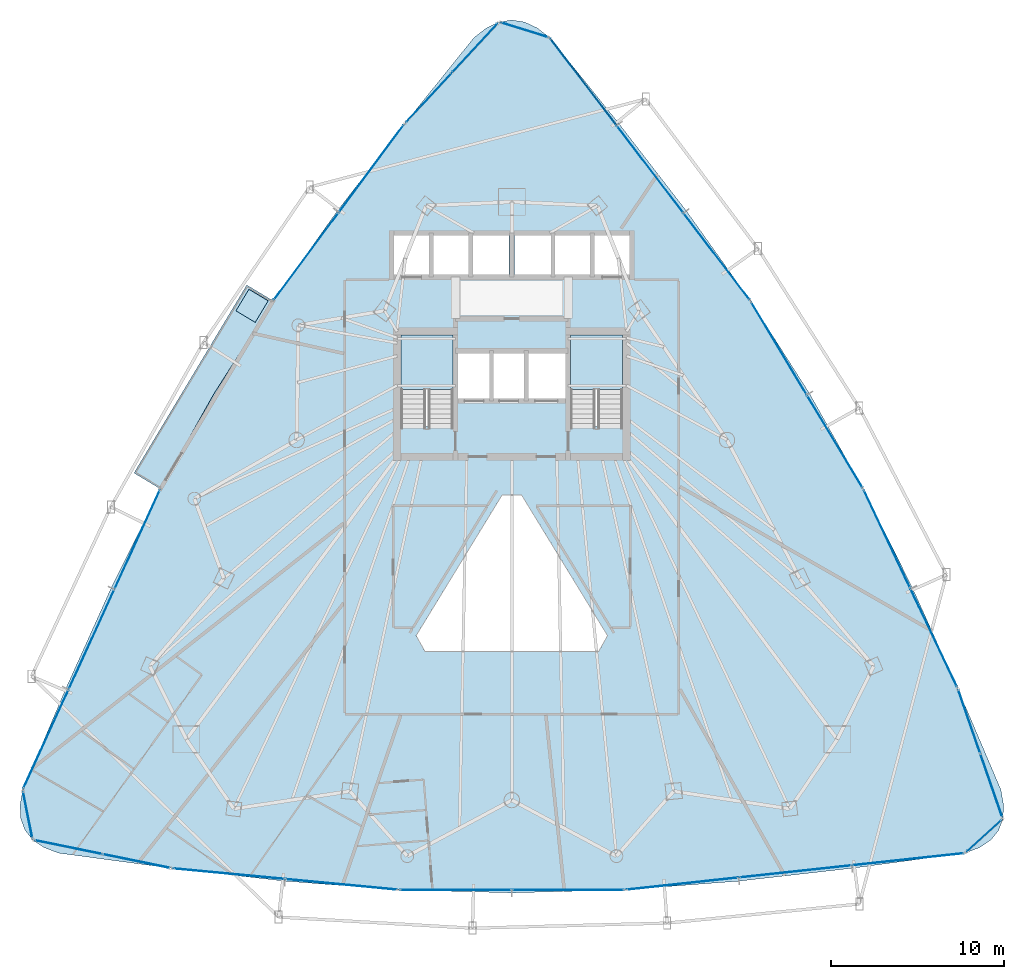
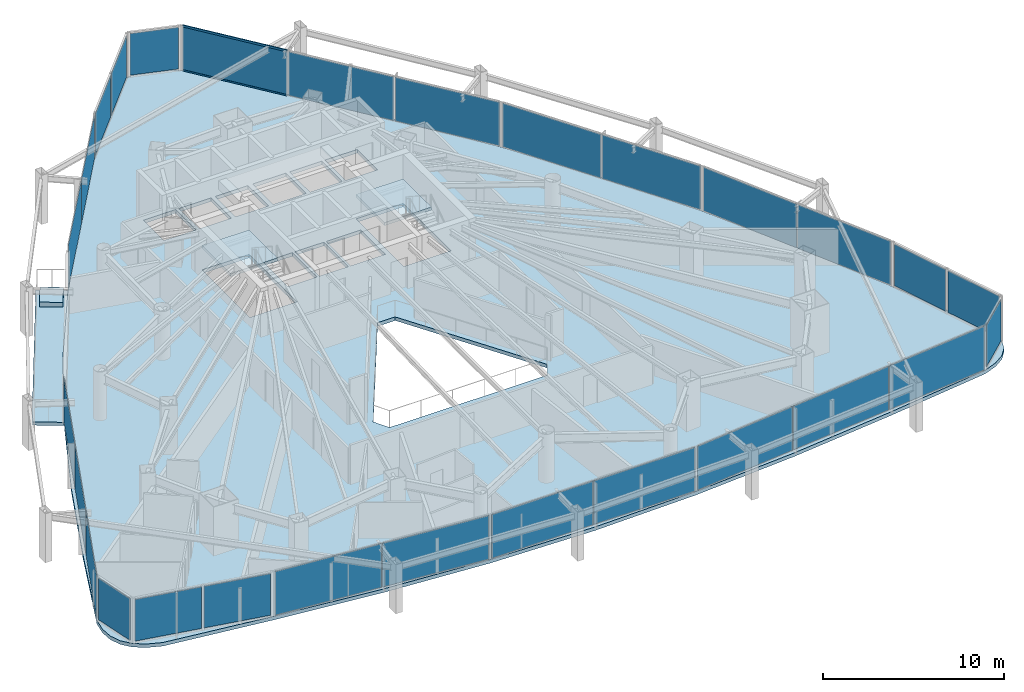
# One storey, part 30 of 37: 28 plates, 5 slabs, 2 members, 16 elements without a shape of their own.
"""IFC4 building model written with IfcOpenShell, lengths in metres."""

import ifcopenshell
import ifcopenshell.guid

model = None  # the IFC model being written
_history = None  # IfcOwnerHistory: only IFC2X3 demands one
_inside = {}  # id of a spatial element -> (the spatial element, [elements in it])
_under = {}  # id of a project, library or spatial element -> (it, [spatial elements below it])
_declared = {}  # id of a project -> (the project, [libraries it declares])
_typed = {}  # id of a type object -> (the type object, [elements of that type])
_made_of = {}  # id of a material, layer set ... -> (it, [elements and type objects made of it])


def new_model(schema):
    """Start an empty IFC model of exactly this schema.

    Asked for "IFC4X3", IfcOpenShell would pick the latest addendum, in which some entities
    have other attributes; the version numbers below select the first issue.
    IFC2X3 requires an IfcOwnerHistory on every rooted entity: one is made here for all.
    """
    global model, _history
    if schema == "IFC4X3":
        model = ifcopenshell.file(schema_version=(4, 3, 0, 0))
    else:
        model = ifcopenshell.file(schema=schema)
    _inside.clear()
    _under.clear()
    _declared.clear()
    _typed.clear()
    _made_of.clear()
    _history = None
    if model.schema == "IFC2X3":
        org = make("IfcOrganization", Name="unknown")
        user = make(
            "IfcPersonAndOrganization",
            ThePerson=make("IfcPerson", FamilyName="unknown"),
            TheOrganization=org,
        )
        app = make(
            "IfcApplication",
            ApplicationDeveloper=org,
            Version="unknown",
            ApplicationFullName="unknown",
            ApplicationIdentifier="unknown",
        )
        _history = make(
            "IfcOwnerHistory",
            OwningUser=user,
            OwningApplication=app,
            ChangeAction="ADDED",
            CreationDate=0,
        )
    return model


def make(cls, **values):
    """One entity of the class cls with the attributes given. An attribute that is None is left unset."""
    return model.create_entity(
        cls, **{name: value for name, value in values.items() if value is not None}
    )


def rooted(cls, **values):
    """An entity with a GlobalId (a new one), such as an element, a storey or a relation."""
    return make(cls, GlobalId=ifcopenshell.guid.new(), OwnerHistory=_history, **values)


def si_unit(unit_type, name, prefix=None):
    """IfcSIUnit, for example si_unit("LENGTHUNIT", "METRE", prefix="MILLI")."""
    return make("IfcSIUnit", UnitType=unit_type, Prefix=prefix, Name=name)


def assignment(units):
    """IfcUnitAssignment: the units of a project."""
    return None if units is None else make("IfcUnitAssignment", Units=units)


def point(xyz):
    """IfcCartesianPoint."""
    return None if xyz is None else make("IfcCartesianPoint", Coordinates=xyz)


def direction(xyz):
    """IfcDirection."""
    return None if xyz is None else make("IfcDirection", DirectionRatios=xyz)


def frame(location, z_axis=None, x_axis=None):
    """IfcAxis2Placement3D, a coordinate frame: its origin and axes. An axis left out is left unset."""
    return make(
        "IfcAxis2Placement3D",
        Location=point(location),
        Axis=direction(z_axis),
        RefDirection=direction(x_axis),
    )


def frame_2d(location, x_axis=None):
    """IfcAxis2Placement2D, a coordinate frame in the plane: its origin and x axis."""
    return make(
        "IfcAxis2Placement2D", Location=point(location), RefDirection=direction(x_axis)
    )


def origin():
    """The frame at (0, 0, 0) with its axes left unset."""
    return frame((0.0, 0.0, 0.0))


def origin_2d():
    """The frame at (0, 0) in the plane with its x axis left unset."""
    return frame_2d((0.0, 0.0))


def place(relative_to, where):
    """IfcLocalPlacement: puts the frame where relative to a parent placement (None: the world)."""
    return make(
        "IfcLocalPlacement", PlacementRelTo=relative_to, RelativePlacement=where
    )


def context(
    kind, dimensions, precision=None, world=None, true_north=None, identifier=None
):
    """IfcGeometricRepresentationContext, for example the 3D "Model" context."""
    return make(
        "IfcGeometricRepresentationContext",
        ContextIdentifier=identifier,
        ContextType=kind,
        CoordinateSpaceDimension=dimensions,
        Precision=precision,
        WorldCoordinateSystem=world,
        TrueNorth=true_north,
    )


def subcontext(parent, identifier, kind, view, scale=None):
    """IfcGeometricRepresentationSubContext, for example "Body" below "Model"."""
    return make(
        "IfcGeometricRepresentationSubContext",
        ContextIdentifier=identifier,
        ContextType=kind,
        ParentContext=parent,
        TargetScale=scale,
        TargetView=view,
    )


def project(units=None, contexts=None):
    """IfcProject with its units and contexts."""
    return rooted(
        "IfcProject",
        Name="project",
        RepresentationContexts=contexts,
        UnitsInContext=assignment(units),
    )


def spatial(cls, under=None, at=None, **own):
    """A site, building, storey or space (cls), placed at a placement, below another one or the project."""
    s = rooted(cls, ObjectPlacement=at, **own)
    if under is not None:
        _under.setdefault(under.id(), (under, []))[1].append(s)
    return s


def polyline(points):
    """IfcPolyline through the points."""
    return make("IfcPolyline", Points=[point(p) for p in points])


def profile(cls, at=None, kind="AREA", **sizes):
    """A parametric profile (cls). Its sizes go by their IFC names, for example OverallWidth=200.0."""
    return make(cls, ProfileType=kind, Position=at, **sizes)


def rectangle(**sizes):
    """IfcRectangleProfileDef."""
    return profile("IfcRectangleProfileDef", **sizes)


def hollow_rectangle(**sizes):
    """IfcRectangleHollowProfileDef."""
    return profile("IfcRectangleHollowProfileDef", **sizes)


def outline(outer, holes=None, kind="AREA"):
    """IfcArbitraryClosedProfileDef: a profile drawn as a closed curve; with holes, ...WithVoids."""
    if holes is None:
        return make("IfcArbitraryClosedProfileDef", ProfileType=kind, OuterCurve=outer)
    return make(
        "IfcArbitraryProfileDefWithVoids",
        ProfileType=kind,
        OuterCurve=outer,
        InnerCurves=holes,
    )


def extrude(swept, where, along, depth):
    """IfcExtrudedAreaSolid: the profile swept, set in the frame where, extruded along a direction by depth."""
    return make(
        "IfcExtrudedAreaSolid",
        SweptArea=swept,
        Position=where,
        ExtrudedDirection=direction(along),
        Depth=depth,
    )


def shape(context_of_items, identifier, shape_type, items):
    """IfcShapeRepresentation: the items that make up one representation, for example the "Body"."""
    return make(
        "IfcShapeRepresentation",
        ContextOfItems=context_of_items,
        RepresentationIdentifier=identifier,
        RepresentationType=shape_type,
        Items=items,
    )


def material(Name=None, Category=None):
    """IfcMaterial."""
    return make("IfcMaterial", Name=Name, Category=Category)


def layer(
    of_material, thickness, ventilated=None, Name=None, Category=None, Priority=None
):
    """IfcMaterialLayer: one layer of a wall or slab, of a material (None: an air gap)."""
    return make(
        "IfcMaterialLayer",
        Material=of_material,
        LayerThickness=thickness,
        IsVentilated=ventilated,
        Name=Name,
        Category=Category,
        Priority=Priority,
    )


def layer_set(layers, Name=None):
    """IfcMaterialLayerSet."""
    return make("IfcMaterialLayerSet", MaterialLayers=layers, LayerSetName=Name)


def material_profile(
    of_material, cross_section, Name=None, Category=None, Priority=None
):
    """IfcMaterialProfile: a cross section and its material."""
    return make(
        "IfcMaterialProfile",
        Name=Name,
        Material=of_material,
        Profile=cross_section,
        Priority=Priority,
        Category=Category,
    )


def profile_set(profiles, Name=None, composite=None):
    """IfcMaterialProfileSet."""
    return make(
        "IfcMaterialProfileSet",
        Name=Name,
        MaterialProfiles=profiles,
        CompositeProfile=composite,
    )


def made_of(thing, what):
    """Note that an element or type object is made of a material, layer set ...; save() writes the relation."""
    if what is not None:
        _made_of.setdefault(what.id(), (what, []))[1].append(thing)
    return thing


def type_object(cls, material=None, **own):
    """A type object (cls), such as IfcWallType, which elements share."""
    return made_of(rooted(cls, **own), material)


def element(
    cls,
    number,
    at=None,
    inside=None,
    cuts=None,
    type_object=None,
    material=None,
    context=None,
    identifier="Body",
    shape_type=None,
    held_by="IfcProductDefinitionShape",
    body=None,
    shapes=None,
    **own,
):
    """One element of the class cls, such as IfcWall. Its Tag is "e" and its number.

    at: its placement. inside: the storey or other place that contains it. cuts: it is an
    opening in that element (IfcRelVoidsElement). A single representation is given by context,
    identifier, shape_type and body (its items); several are given by shapes. held_by: the class
    of the entity that holds the representations. save() writes the other relations.
    """
    e = rooted(cls, Tag="e%d" % number, ObjectPlacement=at, **own)
    if body is not None:
        shapes = [shape(context, identifier, shape_type, body)]
    if shapes is not None:
        e.Representation = make(held_by, Representations=shapes)
    if inside is not None:
        _inside.setdefault(inside.id(), (inside, []))[1].append(e)
    if cuts is not None:
        rooted(
            "IfcRelVoidsElement", RelatingBuildingElement=cuts, RelatedOpeningElement=e
        )
    if type_object is not None:
        _typed.setdefault(type_object.id(), (type_object, []))[1].append(e)
    return made_of(e, material)


def aggregate(whole, parts):
    """IfcRelAggregates: a whole, such as a stair, and the parts it consists of."""
    return rooted("IfcRelAggregates", RelatingObject=whole, RelatedObjects=parts)


def save(model, path):
    """Write the relations noted so far, then the file.

    IfcRelAggregates (storeys below a building ...), IfcRelContainedInSpatialStructure (elements
    in a storey), IfcRelDefinesByType, IfcRelAssociatesMaterial and IfcRelDeclares: one each for
    every whole, place, type object, material and project.
    """
    for whole, parts in _under.values():
        aggregate(whole, parts)
    for where, things in _inside.values():
        rooted(
            "IfcRelContainedInSpatialStructure",
            RelatedElements=things,
            RelatingStructure=where,
        )
    for kind, things in _typed.values():
        rooted("IfcRelDefinesByType", RelatedObjects=things, RelatingType=kind)
    for what, things in _made_of.values():
        rooted("IfcRelAssociatesMaterial", RelatedObjects=things, RelatingMaterial=what)
    for by, libraries in _declared.values():
        rooted("IfcRelDeclares", RelatingContext=by, RelatedDefinitions=libraries)
    model.write(path)


model = new_model("IFC4")

# Units and contexts
model_context = context("Model", 3, precision=1e-05, world=origin(), true_north=direction((0.0, 1.0)))
body_context = subcontext(model_context, "Body", "Model", "MODEL_VIEW")
ifc_project = project(units=[si_unit("LENGTHUNIT", "METRE"), si_unit("AREAUNIT", "SQUARE_METRE"), si_unit("VOLUMEUNIT", "CUBIC_METRE"), si_unit("PLANEANGLEUNIT", "RADIAN"), si_unit("MASSUNIT", "GRAM", prefix="KILO")], contexts=[model_context])

# Site, building, storey
site_placement = place(None, origin())
site = spatial("IfcSite", under=ifc_project, at=site_placement, CompositionType="ELEMENT")
building_placement = place(site_placement, origin())
building = spatial("IfcBuilding", under=site, at=building_placement, Name="Orvanel Arch Residences", CompositionType="ELEMENT")
storey_placement = place(building_placement, frame((0.0, 0.0, 53.300048828125)))
storey = spatial("IfcBuildingStorey", under=building, at=storey_placement, Name="L14", CompositionType="ELEMENT", Elevation=53.300048828125)

# Curtain wall, members
ifc_material_1 = material(Name="Bronze-anodised aluminium AA6063-T6", Category="aluminium")
ifc_layer_1 = layer(ifc_material_1, 0.179931640625)
ifc_layer_set_1 = layer_set([ifc_layer_1], Name="Bronze-anodised aluminium AA6063-T6")
curtain_wall_type_1 = type_object("IfcCurtainWallType", Name="CW2-LOW-SYS", PredefinedType="NOTDEFINED", material=ifc_layer_set_1)
curtain_wall_1_placement = place(storey_placement, origin())
curtain_wall_1 = element("IfcCurtainWall", 1, at=curtain_wall_1_placement, inside=storey, type_object=curtain_wall_type_1, Name="L14 CW2-LOW-SYS Unitised Curtain Wall", PredefinedType="NOTDEFINED")
ifc_material_profile = material_profile(ifc_material_1, hollow_rectangle(XDim=0.06005859375, YDim=0.135009765625, WallThickness=0.00390625, at=origin_2d()), Name="ALU135x60x4")
ifc_profile_set = profile_set([ifc_material_profile], Name="Bronze-anodised aluminium AA6063-T6")
member_type = type_object("IfcMemberType", Name="TRN-135x60", PredefinedType="USERDEFINED", material=ifc_profile_set)
member_1_placement = place(storey_placement, frame((39.041015625, 45.836181640625, 0.030029296875), z_axis=(-0.606365495041, 0.795186070316, 0.0), x_axis=(-0.795186070316, -0.606365495041, 0.0)))
member_1 = element("IfcMember", 2, at=member_1_placement, type_object=member_type, Name="CW-S2 transom 3.1", ObjectType="TRANSOM", PredefinedType="USERDEFINED", context=body_context, shape_type="SweptSolid", body=[
    extrude(hollow_rectangle(XDim=0.06005859375, YDim=0.135009765625, WallThickness=0.00390625, at=origin_2d()), origin(), (0.0, 0.0, 1.0), 6.2529296875),
])
member_2_placement = place(storey_placement, frame((39.041015625, 45.836181640625, 3.030029296875), z_axis=(-0.606365495041, 0.795186070316, 0.0), x_axis=(-0.795186070316, -0.606365495041, 0.0)))
member_2 = element("IfcMember", 3, at=member_2_placement, type_object=member_type, Name="CW-S2 transom 3.2", ObjectType="TRANSOM", PredefinedType="USERDEFINED", context=body_context, shape_type="SweptSolid", body=[
    extrude(hollow_rectangle(XDim=0.06005859375, YDim=0.135009765625, WallThickness=0.00390625, at=origin_2d()), origin(), (0.0, 0.0, 1.0), 6.2529296875),
])

# Curtain wall, plates
curtain_wall_2_placement = place(storey_placement, origin())
curtain_wall_2 = element("IfcCurtainWall", 4, at=curtain_wall_2_placement, inside=storey, type_object=curtain_wall_type_1, Name="L14 CW2-LOW-SYS Unitised Curtain Wall", PredefinedType="NOTDEFINED")
ifc_material_2 = material(Name="Double-glazed solar-control low-E safety glass", Category="glass")
ifc_layer_2 = layer(ifc_material_2, 0.028076171875)
ifc_layer_set_2 = layer_set([ifc_layer_2], Name="Double-glazed solar-control low-E safety glass")
plate_type_1 = type_object("IfcPlateType", Name="PNL-GLZ-28", PredefinedType="CURTAIN_PANEL", material=ifc_layer_set_2)
plate_1_placement = place(storey_placement, frame((24.883544921875, 43.32470703125, 0.06005859375), z_axis=(0.0, 0.0, 1.0), x_axis=(-0.595664851429, -0.803233082468, 0.0)))
plate_1 = element("IfcPlate", 5, at=plate_1_placement, type_object=plate_type_1, Name="CW-S2 panel 1.1", PredefinedType="CURTAIN_PANEL", context=body_context, shape_type="SweptSolid", body=[
    extrude(rectangle(XDim=6.237548828125, YDim=0.028076171875, at=origin_2d()), origin(), (0.0, 0.0, 1.0), 2.93994140625),
])
plate_2_placement = place(storey_placement, frame((21.12646484375, 38.25830078125, 0.06005859375), z_axis=(0.0, 0.0, 1.0), x_axis=(-0.595664851429, -0.803233082468, 0.0)))
plate_2 = element("IfcPlate", 6, at=plate_2_placement, type_object=plate_type_1, Name="CW-S2 panel 2.1", PredefinedType="CURTAIN_PANEL", context=body_context, shape_type="SweptSolid", body=[
    extrude(rectangle(XDim=6.237548828125, YDim=0.028076171875, at=origin_2d()), origin(), (0.0, 0.0, 1.0), 2.93994140625),
])
aggregate(curtain_wall_2, [plate_1, plate_2])

curtain_wall_3_placement = place(storey_placement, origin())
curtain_wall_3 = element("IfcCurtainWall", 7, at=curtain_wall_3_placement, inside=storey, type_object=curtain_wall_type_1, Name="L14 CW2-LOW-SYS Unitised Curtain Wall", PredefinedType="NOTDEFINED")
plate_3_placement = place(storey_placement, frame((11.36279296875, 21.895263671875, 0.06005859375), z_axis=(0.0, 0.0, 1.0), x_axis=(-0.416143790203, -0.909298821002, 0.0)))
plate_3 = element("IfcPlate", 8, at=plate_3_placement, type_object=plate_type_1, Name="CW-S2 panel 1.1", PredefinedType="CURTAIN_PANEL", context=body_context, shape_type="SweptSolid", body=[
    extrude(rectangle(XDim=6.25341796875, YDim=0.028076171875, at=origin_2d()), origin(), (0.0, 0.0, 1.0), 2.93994140625),
])
plate_4_placement = place(storey_placement, frame((8.72412109375, 16.12939453125, 0.06005859375), z_axis=(0.0, 0.0, 1.0), x_axis=(-0.416143790203, -0.909298821002, 0.0)))
plate_4 = element("IfcPlate", 9, at=plate_4_placement, type_object=plate_type_1, Name="CW-S2 panel 2.1", PredefinedType="CURTAIN_PANEL", context=body_context, shape_type="SweptSolid", body=[
    extrude(rectangle(XDim=6.288330078125, YDim=0.028076171875, at=origin_2d()), origin(), (0.0, 0.0, 1.0), 2.93994140625),
])
plate_5_placement = place(storey_placement, frame((6.085205078125, 10.36376953125, 0.06005859375), z_axis=(0.0, 0.0, 1.0), x_axis=(-0.416143790203, -0.909298821002, 0.0)))
plate_5 = element("IfcPlate", 10, at=plate_5_placement, type_object=plate_type_1, Name="CW-S2 panel 3.1", PredefinedType="CURTAIN_PANEL", context=body_context, shape_type="SweptSolid", body=[
    extrude(rectangle(XDim=6.25341796875, YDim=0.028076171875, at=origin_2d()), origin(), (0.0, 0.0, 1.0), 2.93994140625),
])
aggregate(curtain_wall_3, [plate_3, plate_4, plate_5])

curtain_wall_4_placement = place(storey_placement, origin())
curtain_wall_4 = element("IfcCurtainWall", 11, at=curtain_wall_4_placement, inside=storey, type_object=curtain_wall_type_1, Name="L14 CW2-LOW-SYS Unitised Curtain Wall", PredefinedType="NOTDEFINED")
plate_6_placement = place(storey_placement, frame((16.6640625, 2.5888671875, 0.06005859375), z_axis=(0.0, 0.0, 1.0), x_axis=(0.995531056699, -0.094434713682, 0.0)))
plate_6 = element("IfcPlate", 12, at=plate_6_placement, type_object=plate_type_1, Name="CW-S2 panel 1.1", PredefinedType="CURTAIN_PANEL", context=body_context, shape_type="SweptSolid", body=[
    extrude(rectangle(XDim=6.44970703125, YDim=0.028076171875, at=origin_2d()), origin(), (0.0, 0.0, 1.0), 2.93994140625),
])
plate_7_placement = place(storey_placement, frame((23.15478515625, 1.97314453125, 0.06005859375), z_axis=(0.0, 0.0, 1.0), x_axis=(0.995531056699, -0.094434713682, 0.0)))
plate_7 = element("IfcPlate", 13, at=plate_7_placement, type_object=plate_type_1, Name="CW-S2 panel 2.1", PredefinedType="CURTAIN_PANEL", context=body_context, shape_type="SweptSolid", body=[
    extrude(rectangle(XDim=6.44970703125, YDim=0.028076171875, at=origin_2d()), origin(), (0.0, 0.0, 1.0), 2.93994140625),
])
aggregate(curtain_wall_4, [plate_6, plate_7])

curtain_wall_5_placement = place(storey_placement, origin())
curtain_wall_5 = element("IfcCurtainWall", 14, at=curtain_wall_5_placement, inside=storey, type_object=curtain_wall_type_1, Name="L14 CW2-LOW-SYS Unitised Curtain Wall", PredefinedType="NOTDEFINED")
plate_8_placement = place(storey_placement, frame((29.7548828125, 1.659912109375, 0.06005859375), z_axis=(0.0, 0.0, 1.0), x_axis=(1.0, 0.0, 0.0)))
plate_8 = element("IfcPlate", 15, at=plate_8_placement, type_object=plate_type_1, Name="CW-S2 panel 1.1", PredefinedType="CURTAIN_PANEL", context=body_context, shape_type="SweptSolid", body=[
    extrude(rectangle(XDim=6.419921875, YDim=0.028076171875, at=origin_2d()), origin(), (0.0, 0.0, 1.0), 2.93994140625),
])
plate_9_placement = place(storey_placement, frame((36.2451171875, 1.659912109375, 0.06005859375), z_axis=(0.0, 0.0, 1.0), x_axis=(1.0, 0.0, 0.0)))
plate_9 = element("IfcPlate", 16, at=plate_9_placement, type_object=plate_type_1, Name="CW-S2 panel 2.1", PredefinedType="CURTAIN_PANEL", context=body_context, shape_type="SweptSolid", body=[
    extrude(rectangle(XDim=6.419921875, YDim=0.028076171875, at=origin_2d()), origin(), (0.0, 0.0, 1.0), 2.93994140625),
])
aggregate(curtain_wall_5, [plate_8, plate_9])

curtain_wall_6_placement = place(storey_placement, origin())
curtain_wall_6 = element("IfcCurtainWall", 17, at=curtain_wall_6_placement, inside=storey, type_object=curtain_wall_type_1, Name="L14 CW2-LOW-SYS Unitised Curtain Wall", PredefinedType="NOTDEFINED")
plate_10_placement = place(storey_placement, frame((42.848388671875, 2.0166015625, 0.06005859375), z_axis=(0.0, 0.0, 1.0), x_axis=(0.994220520474, 0.107357145401, 0.0)))
plate_10 = element("IfcPlate", 18, at=plate_10_placement, type_object=plate_type_1, Name="CW-S2 panel 1.1", PredefinedType="CURTAIN_PANEL", context=body_context, shape_type="SweptSolid", body=[
    extrude(rectangle(XDim=6.465087890625, YDim=0.028076171875, at=origin_2d()), origin(), (0.0, 0.0, 1.0), 2.93994140625),
])
plate_11_placement = place(storey_placement, frame((49.363037109375, 2.719970703125, 0.06005859375), z_axis=(0.0, 0.0, 1.0), x_axis=(0.994220520474, 0.107357145401, 0.0)))
plate_11 = element("IfcPlate", 19, at=plate_11_placement, type_object=plate_type_1, Name="CW-S2 panel 2.1", PredefinedType="CURTAIN_PANEL", context=body_context, shape_type="SweptSolid", body=[
    extrude(rectangle(XDim=6.5, YDim=0.028076171875, at=origin_2d()), origin(), (0.0, 0.0, 1.0), 2.93994140625),
])
plate_12_placement = place(storey_placement, frame((55.877685546875, 3.42333984375, 0.06005859375), z_axis=(0.0, 0.0, 1.0), x_axis=(0.994220520474, 0.107357145401, 0.0)))
plate_12 = element("IfcPlate", 20, at=plate_12_placement, type_object=plate_type_1, Name="CW-S2 panel 3.1", PredefinedType="CURTAIN_PANEL", context=body_context, shape_type="SweptSolid", body=[
    extrude(rectangle(XDim=6.465087890625, YDim=0.028076171875, at=origin_2d()), origin(), (0.0, 0.0, 1.0), 2.93994140625),
])
aggregate(curtain_wall_6, [plate_10, plate_11, plate_12])

curtain_wall_7_placement = place(storey_placement, origin())
curtain_wall_7 = element("IfcCurtainWall", 21, at=curtain_wall_7_placement, inside=storey, type_object=curtain_wall_type_1, Name="L14 CW2-LOW-SYS Unitised Curtain Wall", PredefinedType="NOTDEFINED")
plate_13_placement = place(storey_placement, frame((57.37451171875, 16.220458984375, 0.06005859375), z_axis=(0.0, 0.0, 1.0), x_axis=(-0.428225279813, 0.903672014466, 0.0)))
plate_13 = element("IfcPlate", 22, at=plate_13_placement, type_object=plate_type_1, Name="CW-S2 panel 1.1", PredefinedType="CURTAIN_PANEL", context=body_context, shape_type="SweptSolid", body=[
    extrude(rectangle(XDim=6.237548828125, YDim=0.028076171875, at=origin_2d()), origin(), (0.0, 0.0, 1.0), 2.93994140625),
])
plate_14_placement = place(storey_placement, frame((54.673583984375, 21.92041015625, 0.06005859375), z_axis=(0.0, 0.0, 1.0), x_axis=(-0.428225279813, 0.903672014466, 0.0)))
plate_14 = element("IfcPlate", 23, at=plate_14_placement, type_object=plate_type_1, Name="CW-S2 panel 2.1", PredefinedType="CURTAIN_PANEL", context=body_context, shape_type="SweptSolid", body=[
    extrude(rectangle(XDim=6.237548828125, YDim=0.028076171875, at=origin_2d()), origin(), (0.0, 0.0, 1.0), 2.93994140625),
])
aggregate(curtain_wall_7, [plate_13, plate_14])

curtain_wall_8_placement = place(storey_placement, origin())
curtain_wall_8 = element("IfcCurtainWall", 24, at=curtain_wall_8_placement, inside=storey, type_object=curtain_wall_type_1, Name="L14 CW2-LOW-SYS Unitised Curtain Wall", PredefinedType="NOTDEFINED")
plate_15_placement = place(storey_placement, frame((51.656494140625, 27.558837890625, 0.06005859375), z_axis=(0.0, 0.0, 1.0), x_axis=(-0.514367621375, 0.857569793125, 0.0)))
plate_15 = element("IfcPlate", 25, at=plate_15_placement, type_object=plate_type_1, Name="CW-S2 panel 1.1", PredefinedType="CURTAIN_PANEL", context=body_context, shape_type="SweptSolid", body=[
    extrude(rectangle(XDim=6.20751953125, YDim=0.028076171875, at=origin_2d()), origin(), (0.0, 0.0, 1.0), 2.93994140625),
])
plate_16_placement = place(storey_placement, frame((48.427490234375, 32.942138671875, 0.06005859375), z_axis=(0.0, 0.0, 1.0), x_axis=(-0.514367621375, 0.857569793125, 0.0)))
plate_16 = element("IfcPlate", 26, at=plate_16_placement, type_object=plate_type_1, Name="CW-S2 panel 2.1", PredefinedType="CURTAIN_PANEL", context=body_context, shape_type="SweptSolid", body=[
    extrude(rectangle(XDim=6.20751953125, YDim=0.028076171875, at=origin_2d()), origin(), (0.0, 0.0, 1.0), 2.93994140625),
])
aggregate(curtain_wall_8, [plate_15, plate_16])

# Plate
plate_17_placement = place(storey_placement, frame((44.834716796875, 38.23876953125, 0.06005859375), z_axis=(0.0, 0.0, 1.0), x_axis=(-0.606381196444, 0.795174097037, 0.0)))
plate_17 = element("IfcPlate", 27, at=plate_17_placement, type_object=plate_type_1, Name="CW-S2 panel 1.1", PredefinedType="CURTAIN_PANEL", context=body_context, shape_type="SweptSolid", body=[
    extrude(rectangle(XDim=6.2529296875, YDim=0.028076171875, at=origin_2d()), origin(), (0.0, 0.0, 1.0), 2.93994140625),
])

plate_18_placement = place(storey_placement, frame((40.989990234375, 43.280517578125, 0.06005859375), z_axis=(0.0, 0.0, 1.0), x_axis=(-0.606381196444, 0.795174097037, 0.0)))
plate_18 = element("IfcPlate", 28, at=plate_18_placement, type_object=plate_type_1, Name="CW-S2 panel 2.1", PredefinedType="CURTAIN_PANEL", context=body_context, shape_type="SweptSolid", body=[
    extrude(rectangle(XDim=6.287841796875, YDim=0.028076171875, at=origin_2d()), origin(), (0.0, 0.0, 1.0), 2.93994140625),
])

plate_19_placement = place(storey_placement, frame((37.145263671875, 48.322265625, 0.06005859375), z_axis=(0.0, 0.0, 1.0), x_axis=(-0.606381196444, 0.795174097037, 0.0)))
plate_19 = element("IfcPlate", 29, at=plate_19_placement, type_object=plate_type_1, Name="CW-S2 panel 3.1", PredefinedType="CURTAIN_PANEL", context=body_context, shape_type="SweptSolid", body=[
    extrude(rectangle(XDim=6.2529296875, YDim=0.028076171875, at=origin_2d()), origin(), (0.0, 0.0, 1.0), 2.93994140625),
])

aggregate(curtain_wall_1, [plate_17, plate_18, member_1, member_2, plate_19])

# Curtain wall, plate
ifc_layer_3 = layer(ifc_material_1, 0.18994140625)
ifc_layer_set_3 = layer_set([ifc_layer_3], Name="Bronze-anodised aluminium AA6063-T6")
curtain_wall_type_2 = type_object("IfcCurtainWallType", Name="CW5-CRN-SYS", PredefinedType="NOTDEFINED", material=ifc_layer_set_3)
curtain_wall_9_placement = place(storey_placement, origin())
curtain_wall_9 = element("IfcCurtainWall", 30, at=curtain_wall_9_placement, inside=storey, type_object=curtain_wall_type_2, Name="L14 CW5-CRN-SYS Unitised Curtain Wall", PredefinedType="NOTDEFINED")
ifc_layer_4 = layer(ifc_material_2, 0.031982421875)
ifc_layer_set_4 = layer_set([ifc_layer_4], Name="Double-glazed solar-control low-E safety glass")
plate_type_2 = type_object("IfcPlateType", Name="PNL-GLZ-32", PredefinedType="CURTAIN_PANEL", material=ifc_layer_set_4)
plate_20_placement = place(storey_placement, frame((33.7314453125, 51.33544921875, 0.1298828125), z_axis=(0.0, 0.0, 1.0), x_axis=(-0.954838024306, 0.297126820297, 0.0)))
plate_20 = element("IfcPlate", 31, at=plate_20_placement, type_object=plate_type_2, Name="CW-S5 panel 1.1", PredefinedType="CURTAIN_PANEL", context=body_context, shape_type="SweptSolid", body=[
    extrude(rectangle(XDim=2.7255859375, YDim=0.031982421875, at=origin_2d()), origin(), (0.0, 0.0, 1.0), 2.800048828125),
])
aggregate(curtain_wall_9, [plate_20])

# Curtain wall, plates
curtain_wall_10_placement = place(storey_placement, origin())
curtain_wall_10 = element("IfcCurtainWall", 32, at=curtain_wall_10_placement, inside=storey, type_object=curtain_wall_type_2, Name="L14 CW5-CRN-SYS Unitised Curtain Wall", PredefinedType="NOTDEFINED")
plate_21_placement = place(storey_placement, frame((30.8671875, 50.28369140625, 0.1298828125), z_axis=(0.0, 0.0, 1.0), x_axis=(-0.680753153202, -0.732512897092, 0.0)))
plate_21 = element("IfcPlate", 33, at=plate_21_placement, type_object=plate_type_2, Name="CW-S5 panel 1.1", PredefinedType="CURTAIN_PANEL", context=body_context, shape_type="SweptSolid", body=[
    extrude(rectangle(XDim=3.774169921875, YDim=0.031982421875, at=origin_2d()), origin(), (0.0, 0.0, 1.0), 2.800048828125),
])
plate_22_placement = place(storey_placement, frame((28.19580078125, 47.4091796875, 0.1298828125), z_axis=(0.0, 0.0, 1.0), x_axis=(-0.680753153202, -0.732512897092, 0.0)))
plate_22 = element("IfcPlate", 34, at=plate_22_placement, type_object=plate_type_2, Name="CW-S5 panel 2.1", PredefinedType="CURTAIN_PANEL", context=body_context, shape_type="SweptSolid", body=[
    extrude(rectangle(XDim=3.774169921875, YDim=0.031982421875, at=origin_2d()), origin(), (0.0, 0.0, 1.0), 2.800048828125),
])
aggregate(curtain_wall_10, [plate_21, plate_22])

# Curtain wall, plate
curtain_wall_11_placement = place(storey_placement, origin())
curtain_wall_11 = element("IfcCurtainWall", 35, at=curtain_wall_11_placement, inside=storey, type_object=curtain_wall_type_2, Name="L14 CW5-CRN-SYS Unitised Curtain Wall", PredefinedType="NOTDEFINED")
plate_23_placement = place(storey_placement, frame((5.035400390625, 5.991943359375, 0.1298828125), z_axis=(0.0, 0.0, 1.0), x_axis=(0.19552136731, -0.980699441687, 0.0)))
plate_23 = element("IfcPlate", 36, at=plate_23_placement, type_object=plate_type_2, Name="CW-S5 panel 1.1", PredefinedType="CURTAIN_PANEL", context=body_context, shape_type="SweptSolid", body=[
    extrude(rectangle(XDim=2.610107421875, YDim=0.031982421875, at=origin_2d()), origin(), (0.0, 0.0, 1.0), 2.800048828125),
])
aggregate(curtain_wall_11, [plate_23])

# Curtain wall, plates
curtain_wall_12_placement = place(storey_placement, origin())
curtain_wall_12 = element("IfcCurtainWall", 37, at=curtain_wall_12_placement, inside=storey, type_object=curtain_wall_type_2, Name="L14 CW5-CRN-SYS Unitised Curtain Wall", PredefinedType="NOTDEFINED")
plate_24_placement = place(storey_placement, frame((7.380859375, 4.124755859375, 0.1298828125), z_axis=(0.0, 0.0, 1.0), x_axis=(0.979747706958, -0.200235937609, 0.0)))
plate_24 = element("IfcPlate", 38, at=plate_24_placement, type_object=plate_type_2, Name="CW-S5 panel 1.1", PredefinedType="CURTAIN_PANEL", context=body_context, shape_type="SweptSolid", body=[
    extrude(rectangle(XDim=3.857666015625, YDim=0.031982421875, at=origin_2d()), origin(), (0.0, 0.0, 1.0), 2.800048828125),
])
plate_25_placement = place(storey_placement, frame((11.307373046875, 3.322265625, 0.1298828125), z_axis=(0.0, 0.0, 1.0), x_axis=(0.979747706958, -0.200235937609, 0.0)))
plate_25 = element("IfcPlate", 39, at=plate_25_placement, type_object=plate_type_2, Name="CW-S5 panel 2.1", PredefinedType="CURTAIN_PANEL", context=body_context, shape_type="SweptSolid", body=[
    extrude(rectangle(XDim=3.857666015625, YDim=0.031982421875, at=origin_2d()), origin(), (0.0, 0.0, 1.0), 2.800048828125),
])
aggregate(curtain_wall_12, [plate_24, plate_25])

# Curtain wall, plate
curtain_wall_13_placement = place(storey_placement, origin())
curtain_wall_13 = element("IfcCurtainWall", 40, at=curtain_wall_13_placement, inside=storey, type_object=curtain_wall_type_2, Name="L14 CW5-CRN-SYS Unitised Curtain Wall", PredefinedType="NOTDEFINED")
plate_26_placement = place(storey_placement, frame((60.2734375, 4.77197265625, 0.1298828125), z_axis=(0.0, 0.0, 1.0), x_axis=(0.740126531577, 0.672467632869, 0.0)))
plate_26 = element("IfcPlate", 41, at=plate_26_placement, type_object=plate_type_2, Name="CW-S5 panel 1.1", PredefinedType="CURTAIN_PANEL", context=body_context, shape_type="SweptSolid", body=[
    extrude(rectangle(XDim=2.611572265625, YDim=0.031982421875, at=origin_2d()), origin(), (0.0, 0.0, 1.0), 2.800048828125),
])
aggregate(curtain_wall_13, [plate_26])

# Curtain wall, plates
curtain_wall_14_placement = place(storey_placement, origin())
curtain_wall_14 = element("IfcCurtainWall", 42, at=curtain_wall_14_placement, inside=storey, type_object=curtain_wall_type_2, Name="L14 CW5-CRN-SYS Unitised Curtain Wall", PredefinedType="NOTDEFINED")
plate_27_placement = place(storey_placement, frame((60.696044921875, 7.6982421875, 0.1298828125), z_axis=(0.0, 0.0, 1.0), x_axis=(-0.327140779645, 0.944975613597, 0.0)))
plate_27 = element("IfcPlate", 43, at=plate_27_placement, type_object=plate_type_2, Name="CW-S5 panel 1.1", PredefinedType="CURTAIN_PANEL", context=body_context, shape_type="SweptSolid", body=[
    extrude(rectangle(XDim=3.75341796875, YDim=0.031982421875, at=origin_2d()), origin(), (0.0, 0.0, 1.0), 2.800048828125),
])
plate_28_placement = place(storey_placement, frame((59.4189453125, 11.38671875, 0.1298828125), z_axis=(0.0, 0.0, 1.0), x_axis=(-0.327140779645, 0.944975613597, 0.0)))
plate_28 = element("IfcPlate", 44, at=plate_28_placement, type_object=plate_type_2, Name="CW-S5 panel 2.1", PredefinedType="CURTAIN_PANEL", context=body_context, shape_type="SweptSolid", body=[
    extrude(rectangle(XDim=3.75341796875, YDim=0.031982421875, at=origin_2d()), origin(), (0.0, 0.0, 1.0), 2.800048828125),
])
aggregate(curtain_wall_14, [plate_27, plate_28])

# Slab
ifc_material_3 = material(Name="Concrete N40 (40 MPa)", Category="concrete")
ifc_layer_5 = layer(ifc_material_3, 0.215087890625)
ifc_layer_set_5 = layer_set([ifc_layer_5], Name="Concrete N40 (40 MPa)")
slab_type_1 = type_object("IfcSlabType", Name="SLB-BAL-215", PredefinedType="FLOOR", material=ifc_layer_set_5)
slab_1_placement = place(storey_placement, frame((0.0, 0.0, -0.215087890625)))
element("IfcSlab", 45, at=slab_1_placement, inside=storey, type_object=slab_type_1, Name="L14 Cantilevered Balcony Slab Face 1", PredefinedType="FLOOR", context=body_context, shape_type="SweptSolid", body=[
    extrude(outline(polyline([(17.68896484375, 36.595947265625), (11.174072265625, 25.736083984375), (12.700927734375, 24.820068359375), (15.80810546875, 30.340087890625), (19.215087890625, 35.680908203125), (17.68896484375, 36.595947265625)])), origin(), (0.0, 0.0, 1.0), 0.215087890625),
])

# Stair, slab
ifc_material_4 = material(Name="Precast concrete N50 (50 MPa)", Category="concrete")
stair_type = type_object("IfcStairType", Name="STR-DOG-184", PredefinedType="USERDEFINED", material=ifc_material_4)
stair_1_placement = place(storey_placement, origin())
stair_1 = element("IfcStair", 46, at=stair_1_placement, inside=storey, type_object=stair_type, Name="L14 Fire-Isolated Core Exit Stair 1", ObjectType="TWO_RETURN_STAIR", PredefinedType="USERDEFINED")
ifc_layer_6 = layer(ifc_material_3, 0.199951171875)
ifc_layer_set_6 = layer_set([ifc_layer_6], Name="Concrete N40 (40 MPa)")
slab_type_2 = type_object("IfcSlabType", Name="SLB-LND-200", PredefinedType="LANDING", material=ifc_layer_set_6)
slab_2_placement = place(storey_placement, frame((0.0, 0.0, 1.449951171875)))
slab_2 = element("IfcSlab", 47, at=slab_2_placement, type_object=slab_type_2, Name="ST-1 landing 1", PredefinedType="LANDING", context=body_context, shape_type="SweptSolid", body=[
    extrude(outline(polyline([(29.60009765625, 30.56005859375), (29.60009765625, 33.699951171875), (26.60009765625, 33.699951171875), (26.60009765625, 30.56005859375), (29.60009765625, 30.56005859375)])), origin(), (0.0, 0.0, 1.0), 0.199951171875),
])
aggregate(stair_1, [slab_2])

stair_2_placement = place(storey_placement, origin())
stair_2 = element("IfcStair", 48, at=stair_2_placement, inside=storey, type_object=stair_type, Name="L14 Fire-Isolated Core Exit Stair 2", ObjectType="TWO_RETURN_STAIR", PredefinedType="USERDEFINED")
slab_3_placement = place(storey_placement, frame((0.0, 0.0, 1.449951171875)))
slab_3 = element("IfcSlab", 49, at=slab_3_placement, type_object=slab_type_2, Name="ST-2 landing 1", PredefinedType="LANDING", context=body_context, shape_type="SweptSolid", body=[
    extrude(outline(polyline([(39.39990234375, 30.56005859375), (39.39990234375, 33.699951171875), (36.39990234375, 33.699951171875), (36.39990234375, 30.56005859375), (39.39990234375, 30.56005859375)])), origin(), (0.0, 0.0, 1.0), 0.199951171875),
])
aggregate(stair_2, [slab_3])

# Slabs
ifc_material_5 = material(Name="Structural architectural precast concrete N40 (40 MPa) planter", Category="concrete")
ifc_layer_7 = layer(ifc_material_5, 0.320068359375)
ifc_layer_set_7 = layer_set([ifc_layer_7], Name="Structural architectural precast concrete N40 (40 MPa) planter")
slab_type_3 = type_object("IfcSlabType", Name="SLB-PLN-320", PredefinedType="USERDEFINED", material=ifc_layer_set_7)
slab_4_placement = place(storey_placement, origin())
element("IfcSlab", 50, at=slab_4_placement, inside=storey, type_object=slab_type_3, Name="L14 Balcony TREE PLANTER Face 1", ObjectType="PLANTER", PredefinedType="USERDEFINED", context=body_context, shape_type="SweptSolid", body=[
    extrude(outline(polyline([(17.80908203125, 36.34912109375), (17.06298828125, 35.10595703125), (18.177978515625, 34.43701171875), (18.924072265625, 35.680908203125), (17.80908203125, 36.34912109375)])), origin(), (0.0, 0.0, 1.0), 0.320068359375),
])
ifc_layer_8 = layer(ifc_material_3, 0.239990234375)
ifc_layer_set_8 = layer_set([ifc_layer_8], Name="Concrete N40 (40 MPa)")
slab_type_4 = type_object("IfcSlabType", Name="SLB-TYP-240", PredefinedType="FLOOR", material=ifc_layer_set_8)
slab_5_placement = place(storey_placement, frame((0.0, 0.0, -0.239990234375)))
element("IfcSlab", 51, at=slab_5_placement, inside=storey, type_object=slab_type_4, Name="L14 Tower Floor Slab", PredefinedType="FLOOR", context=body_context, shape_type="SweptSolid", body=[
    extrude(outline(polyline([(35.195068359375, 50.8798828125), (34.462890625, 51.449951171875), (33.73193359375, 51.791015625), (33.0, 51.905029296875), (32.26806640625, 51.791015625), (31.537109375, 51.449951171875), (30.804931640625, 50.8798828125), (26.794921875, 45.902099609375), (22.89892578125, 40.85498046875), (19.215087890625, 35.680908203125), (15.80810546875, 30.340087890625), (12.700927734375, 24.820068359375), (9.8701171875, 19.134033203125), (7.2509765625, 13.321044921875), (4.7470703125, 7.43896484375), (4.590087890625, 6.544921875), (4.634033203125, 5.763916015625), (4.87890625, 5.097900390625), (5.323974609375, 4.544921875), (5.970947265625, 4.10595703125), (6.819091796875, 3.780029296875), (13.364013671875, 2.902099609375), (19.909912109375, 2.157958984375), (26.455078125, 1.659912109375), (33.0, 1.485107421875), (39.544921875, 1.659912109375), (46.090087890625, 2.157958984375), (52.635986328125, 2.902099609375), (59.180908203125, 3.780029296875), (60.029052734375, 4.10595703125), (60.675048828125, 4.544921875), (61.12109375, 5.097900390625), (61.365966796875, 5.763916015625), (61.409912109375, 6.544921875), (61.2529296875, 7.43896484375), (58.7490234375, 13.321044921875), (56.1298828125, 19.134033203125), (53.299072265625, 24.820068359375), (50.19189453125, 30.340087890625), (46.784912109375, 35.680908203125), (43.10107421875, 40.85498046875), (39.205078125, 45.902099609375), (35.195068359375, 50.8798828125)]), holes=[polyline([(26.60009765625, 28.429931640625), (26.60009765625, 33.699951171875), (29.60009765625, 33.699951171875), (29.60009765625, 28.429931640625), (26.60009765625, 28.429931640625)]), polyline([(36.39990234375, 28.429931640625), (36.39990234375, 33.699951171875), (39.39990234375, 33.699951171875), (39.39990234375, 28.429931640625), (36.39990234375, 28.429931640625)]), polyline([(29.89990234375, 32.64990234375), (31.75, 32.64990234375), (31.75, 29.949951171875), (29.89990234375, 29.949951171875), (29.89990234375, 32.64990234375)]), polyline([(31.89990234375, 32.64990234375), (33.75, 32.64990234375), (33.75, 29.949951171875), (31.89990234375, 29.949951171875), (31.89990234375, 32.64990234375)]), polyline([(33.89990234375, 32.64990234375), (36.10009765625, 32.64990234375), (36.10009765625, 29.949951171875), (33.89990234375, 29.949951171875), (33.89990234375, 32.64990234375)]), polyline([(26.199951171875, 39.449951171875), (28.25, 39.449951171875), (28.25, 37.199951171875), (26.199951171875, 37.199951171875), (26.199951171875, 39.449951171875)]), polyline([(37.75, 39.449951171875), (39.800048828125, 39.449951171875), (39.800048828125, 37.199951171875), (37.75, 37.199951171875), (37.75, 39.449951171875)]), polyline([(28.449951171875, 39.449951171875), (30.5, 39.449951171875), (30.5, 37.199951171875), (28.449951171875, 37.199951171875), (28.449951171875, 39.449951171875)]), polyline([(35.5, 39.449951171875), (37.550048828125, 39.449951171875), (37.550048828125, 37.199951171875), (35.5, 37.199951171875), (35.5, 39.449951171875)]), polyline([(30.75, 39.449951171875), (32.85009765625, 39.449951171875), (32.85009765625, 37.199951171875), (30.75, 37.199951171875), (30.75, 39.449951171875)]), polyline([(33.14990234375, 39.449951171875), (35.25, 39.449951171875), (35.25, 37.199951171875), (33.14990234375, 37.199951171875), (33.14990234375, 39.449951171875)]), polyline([(38.529052734375, 16.343017578125), (38.014892578125, 15.426025390625), (27.985107421875, 15.426025390625), (27.470947265625, 16.343017578125), (32.43994140625, 24.470947265625), (33.56005859375, 24.470947265625), (38.529052734375, 16.343017578125)])]), origin(), (0.0, 0.0, 1.0), 0.239990234375),
])

save(model, "model.ifc")
